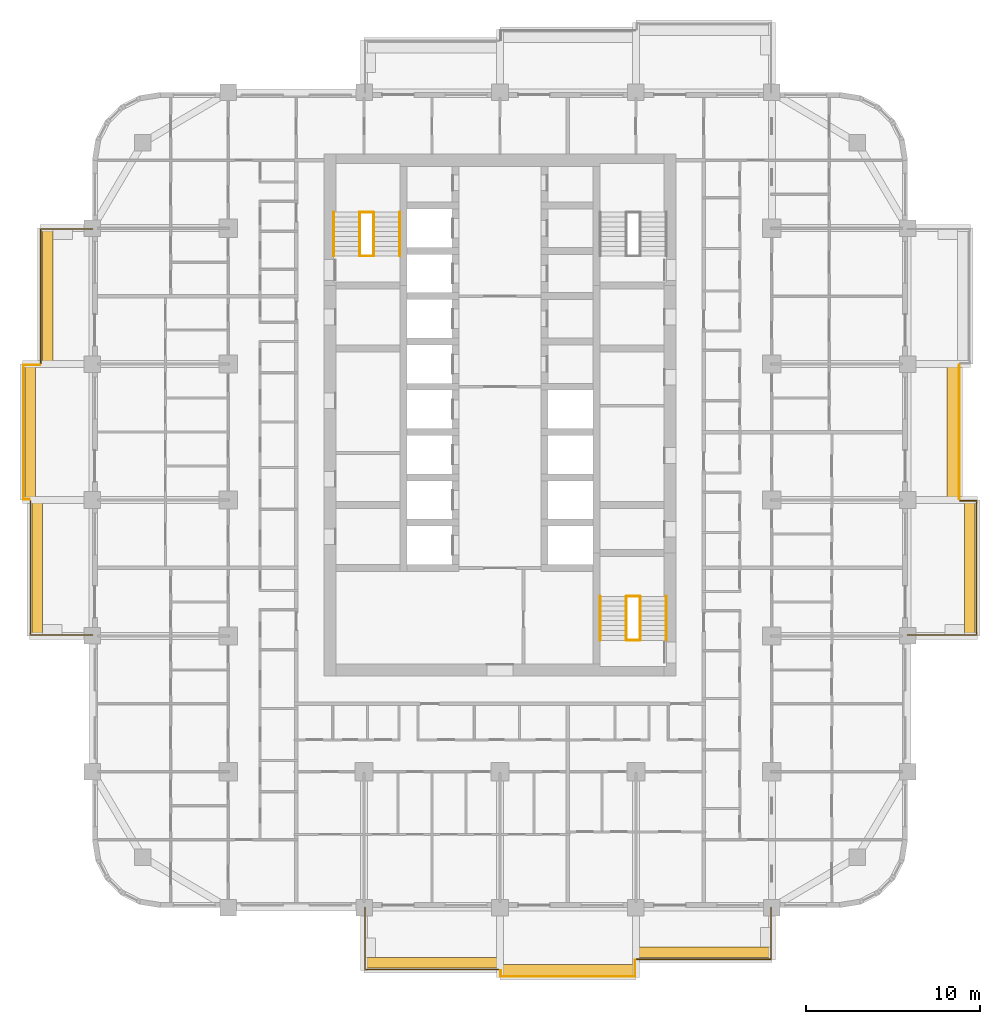
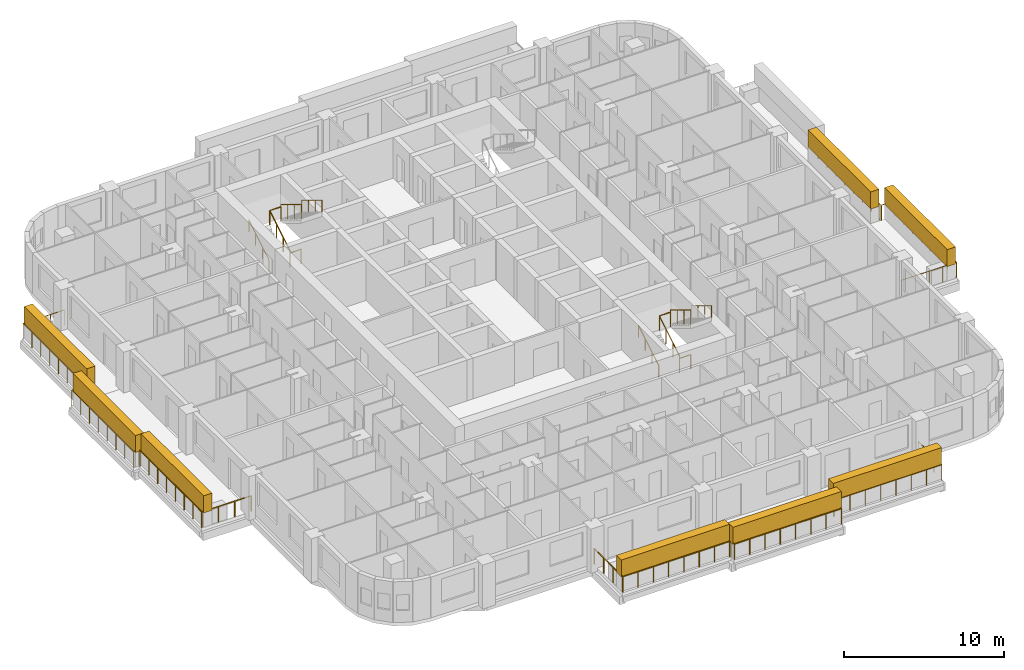
# One storey, part 16 of 17: 20 railings, 8 coverings, 2 elements without a shape of their own.
"""IFC4 building model written with IfcOpenShell, lengths in metres."""

from ifc_helpers import new_model, si_unit, direction, frame, origin, origin_2d, place, context, subcontext, project, spatial, rectangle, circle, extrude, material, layer, layer_set, type_object, element, aggregate, save


model = new_model("IFC4")

# Units and contexts
model_context = context("Model", 3, precision=1e-05, world=origin(), true_north=direction((0.0, 1.0)))
body_context = subcontext(model_context, "Body", "Model", "MODEL_VIEW")
ifc_project = project(units=[si_unit("LENGTHUNIT", "METRE"), si_unit("AREAUNIT", "SQUARE_METRE"), si_unit("VOLUMEUNIT", "CUBIC_METRE"), si_unit("PLANEANGLEUNIT", "RADIAN"), si_unit("MASSUNIT", "GRAM", prefix="KILO")], contexts=[model_context])

# Site, building, storey
site_placement = place(None, origin())
site = spatial("IfcSite", under=ifc_project, at=site_placement, CompositionType="ELEMENT")
building_placement = place(site_placement, origin())
building = spatial("IfcBuilding", under=site, at=building_placement, Name="Ludao Terraces", CompositionType="ELEMENT")
storey_placement = place(building_placement, frame((0.0, 0.0, 92.0)))
storey = spatial("IfcBuildingStorey", under=building, at=storey_placement, Name="L25", CompositionType="ELEMENT", Elevation=92.0)

# Railings
ifc_material_1 = material(Name="Stainless steel 304", Category="steel")
railing_type_1 = type_object("IfcRailingType", Name="ENV Balcony glass guard 1200", PredefinedType="GUARDRAIL", material=ifc_material_1)
railing_1_placement = place(storey_placement, frame((77.25, 41.60009765625, 0.0)))
element("IfcRailing", 1, at=railing_1_placement, inside=storey, type_object=railing_type_1, Name="Balcony guard L25 S2", PredefinedType="GUARDRAIL", context=body_context, shape_type="SweptSolid", body=[
    extrude(circle(Radius=0.02392578125, at=origin_2d()), frame((0.0, 0.0, 1.17578125), z_axis=(0.0, -1.0, 0.0), x_axis=(1.0, 0.0, 0.0)), (0.0, 0.0, 1.0), 3.550048828125),
    extrude(circle(Radius=0.02392578125, at=origin_2d()), frame((0.0, -3.550048828125, 1.17578125), z_axis=(1.0, 0.0, 0.0), x_axis=(0.0, 1.0, 0.0)), (0.0, 0.0, 1.0), 7.699951171875),
    extrude(circle(Radius=0.02099609375, at=origin_2d()), origin(), (0.0, 0.0, 1.0), 1.15185546875),
    extrude(circle(Radius=0.02099609375, at=origin_2d()), frame((0.0, -1.183349609375, 0.0)), (0.0, 0.0, 1.0), 1.15185546875),
    extrude(circle(Radius=0.02099609375, at=origin_2d()), frame((0.0, -2.36669921875, 0.0)), (0.0, 0.0, 1.0), 1.15185546875),
    extrude(circle(Radius=0.02099609375, at=origin_2d()), frame((0.0, -3.550048828125, 0.0)), (0.0, 0.0, 1.0), 1.15185546875),
    extrude(circle(Radius=0.02099609375, at=origin_2d()), frame((1.10009765625, -3.550048828125, 0.0)), (0.0, 0.0, 1.0), 1.15185546875),
    extrude(circle(Radius=0.02099609375, at=origin_2d()), frame((2.199951171875, -3.550048828125, 0.0)), (0.0, 0.0, 1.0), 1.15185546875),
    extrude(circle(Radius=0.02099609375, at=origin_2d()), frame((3.300048828125, -3.550048828125, 0.0)), (0.0, 0.0, 1.0), 1.15185546875),
    extrude(circle(Radius=0.02099609375, at=origin_2d()), frame((4.39990234375, -3.550048828125, 0.0)), (0.0, 0.0, 1.0), 1.15185546875),
    extrude(circle(Radius=0.02099609375, at=origin_2d()), frame((5.5, -3.550048828125, 0.0)), (0.0, 0.0, 1.0), 1.15185546875),
    extrude(circle(Radius=0.02099609375, at=origin_2d()), frame((6.599853515625, -3.550048828125, 0.0)), (0.0, 0.0, 1.0), 1.15185546875),
    extrude(circle(Radius=0.02099609375, at=origin_2d()), frame((7.699951171875, -3.550048828125, 0.0)), (0.0, 0.0, 1.0), 1.15185546875),
])
railing_2_placement = place(storey_placement, frame((85.050048828125, 38.0, 0.0)))
element("IfcRailing", 2, at=railing_2_placement, inside=storey, type_object=railing_type_1, Name="Balcony guard L25 S3", PredefinedType="GUARDRAIL", context=body_context, shape_type="SweptSolid", body=[
    extrude(circle(Radius=0.02392578125, at=origin_2d()), frame((0.0, 0.0, 1.17578125), z_axis=(0.0, -1.0, 0.0), x_axis=(1.0, 0.0, 0.0)), (0.0, 0.0, 1.0), 0.35009765625),
    extrude(circle(Radius=0.02392578125, at=origin_2d()), frame((0.0, -0.35009765625, 1.17578125), z_axis=(1.0, 0.0, 0.0), x_axis=(0.0, 1.0, 0.0)), (0.0, 0.0, 1.0), 7.699951171875),
    extrude(circle(Radius=0.02392578125, at=origin_2d()), frame((7.699951171875, -0.35009765625, 1.17578125), z_axis=(0.0, 1.0, 0.0), x_axis=(-1.0, 0.0, 0.0)), (0.0, 0.0, 1.0), 0.9501953125),
    extrude(circle(Radius=0.02099609375, at=origin_2d()), origin(), (0.0, 0.0, 1.0), 1.15185546875),
    extrude(circle(Radius=0.02099609375, at=origin_2d()), frame((0.0, -0.35009765625, 0.0)), (0.0, 0.0, 1.0), 1.15185546875),
    extrude(circle(Radius=0.02099609375, at=origin_2d()), frame((1.10009765625, -0.35009765625, 0.0)), (0.0, 0.0, 1.0), 1.15185546875),
    extrude(circle(Radius=0.02099609375, at=origin_2d()), frame((2.199951171875, -0.35009765625, 0.0)), (0.0, 0.0, 1.0), 1.15185546875),
    extrude(circle(Radius=0.02099609375, at=origin_2d()), frame((3.300048828125, -0.35009765625, 0.0)), (0.0, 0.0, 1.0), 1.15185546875),
    extrude(circle(Radius=0.02099609375, at=origin_2d()), frame((4.39990234375, -0.35009765625, 0.0)), (0.0, 0.0, 1.0), 1.15185546875),
    extrude(circle(Radius=0.02099609375, at=origin_2d()), frame((5.5, -0.35009765625, 0.0)), (0.0, 0.0, 1.0), 1.15185546875),
    extrude(circle(Radius=0.02099609375, at=origin_2d()), frame((6.599853515625, -0.35009765625, 0.0)), (0.0, 0.0, 1.0), 1.15185546875),
    extrude(circle(Radius=0.02099609375, at=origin_2d()), frame((7.699951171875, -0.35009765625, 0.0)), (0.0, 0.0, 1.0), 1.15185546875),
    extrude(circle(Radius=0.02099609375, at=origin_2d()), frame((7.699951171875, 0.60009765625, 0.0)), (0.0, 0.0, 1.0), 1.15185546875),
])
railing_3_placement = place(storey_placement, frame((92.85009765625, 38.64990234375, 0.0)))
element("IfcRailing", 3, at=railing_3_placement, inside=storey, type_object=railing_type_1, Name="Balcony guard L25 S4", PredefinedType="GUARDRAIL", context=body_context, shape_type="SweptSolid", body=[
    extrude(circle(Radius=0.02392578125, at=origin_2d()), frame((0.0, 0.0, 1.17578125), z_axis=(1.0, 0.0, 0.0), x_axis=(0.0, 1.0, 0.0)), (0.0, 0.0, 1.0), 7.699951171875),
    extrude(circle(Radius=0.02392578125, at=origin_2d()), frame((7.699951171875, 0.0, 1.17578125), z_axis=(0.0, 1.0, 0.0), x_axis=(-1.0, 0.0, 0.0)), (0.0, 0.0, 1.0), 2.9501953125),
    extrude(circle(Radius=0.02099609375, at=origin_2d()), origin(), (0.0, 0.0, 1.0), 1.15185546875),
    extrude(circle(Radius=0.02099609375, at=origin_2d()), frame((1.10009765625, 0.0, 0.0)), (0.0, 0.0, 1.0), 1.15185546875),
    extrude(circle(Radius=0.02099609375, at=origin_2d()), frame((2.199951171875, 0.0, 0.0)), (0.0, 0.0, 1.0), 1.15185546875),
    extrude(circle(Radius=0.02099609375, at=origin_2d()), frame((3.300048828125, 0.0, 0.0)), (0.0, 0.0, 1.0), 1.15185546875),
    extrude(circle(Radius=0.02099609375, at=origin_2d()), frame((4.39990234375, 0.0, 0.0)), (0.0, 0.0, 1.0), 1.15185546875),
    extrude(circle(Radius=0.02099609375, at=origin_2d()), frame((5.5, 0.0, 0.0)), (0.0, 0.0, 1.0), 1.15185546875),
    extrude(circle(Radius=0.02099609375, at=origin_2d()), frame((6.599853515625, 0.0, 0.0)), (0.0, 0.0, 1.0), 1.15185546875),
    extrude(circle(Radius=0.02099609375, at=origin_2d()), frame((7.699951171875, 0.0, 0.0)), (0.0, 0.0, 1.0), 1.15185546875),
    extrude(circle(Radius=0.02099609375, at=origin_2d()), frame((7.699951171875, 0.9833984375, 0.0)), (0.0, 0.0, 1.0), 1.15185546875),
    extrude(circle(Radius=0.02099609375, at=origin_2d()), frame((7.699951171875, 1.966796875, 0.0)), (0.0, 0.0, 1.0), 1.15185546875),
    extrude(circle(Radius=0.02099609375, at=origin_2d()), frame((7.699951171875, 2.9501953125, 0.0)), (0.0, 0.0, 1.0), 1.15185546875),
])
railing_4_placement = place(storey_placement, frame((108.39990234375, 57.25, 0.0)))
element("IfcRailing", 4, at=railing_4_placement, inside=storey, type_object=railing_type_1, Name="Balcony guard L25 E2", PredefinedType="GUARDRAIL", context=body_context, shape_type="SweptSolid", body=[
    extrude(circle(Radius=0.02392578125, at=origin_2d()), frame((0.0, 0.0, 1.17578125), z_axis=(1.0, 0.0, 0.0), x_axis=(0.0, 1.0, 0.0)), (0.0, 0.0, 1.0), 3.9501953125),
    extrude(circle(Radius=0.02392578125, at=origin_2d()), frame((3.9501953125, 0.0, 1.17578125), z_axis=(0.0, 1.0, 0.0), x_axis=(-1.0, 0.0, 0.0)), (0.0, 0.0, 1.0), 7.699951171875),
    extrude(circle(Radius=0.02392578125, at=origin_2d()), frame((3.9501953125, 7.699951171875, 1.17578125), z_axis=(-1.0, 0.0, 0.0), x_axis=(0.0, -1.0, 0.0)), (0.0, 0.0, 1.0), 0.9501953125),
    extrude(circle(Radius=0.02099609375, at=origin_2d()), origin(), (0.0, 0.0, 1.0), 1.15185546875),
    extrude(circle(Radius=0.02099609375, at=origin_2d()), frame((0.987548828125, 0.0, 0.0)), (0.0, 0.0, 1.0), 1.15185546875),
    extrude(circle(Radius=0.02099609375, at=origin_2d()), frame((1.97509765625, 0.0, 0.0)), (0.0, 0.0, 1.0), 1.15185546875),
    extrude(circle(Radius=0.02099609375, at=origin_2d()), frame((2.962646484375, 0.0, 0.0)), (0.0, 0.0, 1.0), 1.15185546875),
    extrude(circle(Radius=0.02099609375, at=origin_2d()), frame((3.9501953125, 0.0, 0.0)), (0.0, 0.0, 1.0), 1.15185546875),
    extrude(circle(Radius=0.02099609375, at=origin_2d()), frame((3.9501953125, 1.10009765625, 0.0)), (0.0, 0.0, 1.0), 1.15185546875),
    extrude(circle(Radius=0.02099609375, at=origin_2d()), frame((3.9501953125, 2.199951171875, 0.0)), (0.0, 0.0, 1.0), 1.15185546875),
    extrude(circle(Radius=0.02099609375, at=origin_2d()), frame((3.9501953125, 3.300048828125, 0.0)), (0.0, 0.0, 1.0), 1.15185546875),
    extrude(circle(Radius=0.02099609375, at=origin_2d()), frame((3.9501953125, 4.39990234375, 0.0)), (0.0, 0.0, 1.0), 1.15185546875),
    extrude(circle(Radius=0.02099609375, at=origin_2d()), frame((3.9501953125, 5.5, 0.0)), (0.0, 0.0, 1.0), 1.15185546875),
    extrude(circle(Radius=0.02099609375, at=origin_2d()), frame((3.9501953125, 6.599853515625, 0.0)), (0.0, 0.0, 1.0), 1.15185546875),
    extrude(circle(Radius=0.02099609375, at=origin_2d()), frame((3.9501953125, 7.699951171875, 0.0)), (0.0, 0.0, 1.0), 1.15185546875),
    extrude(circle(Radius=0.02099609375, at=origin_2d()), frame((3.0, 7.699951171875, 0.0)), (0.0, 0.0, 1.0), 1.15185546875),
])
railing_5_placement = place(storey_placement, frame((111.35009765625, 65.050048828125, 0.0)))
element("IfcRailing", 5, at=railing_5_placement, inside=storey, type_object=railing_type_1, Name="Balcony guard L25 E3", PredefinedType="GUARDRAIL", context=body_context, shape_type="SweptSolid", body=[
    extrude(circle(Radius=0.02392578125, at=origin_2d()), frame((0.0, 0.0, 1.17578125), z_axis=(0.0, 1.0, 0.0), x_axis=(-1.0, 0.0, 0.0)), (0.0, 0.0, 1.0), 7.699951171875),
    extrude(circle(Radius=0.02099609375, at=origin_2d()), origin(), (0.0, 0.0, 1.0), 1.15185546875),
    extrude(circle(Radius=0.02099609375, at=origin_2d()), frame((0.0, 1.10009765625, 0.0)), (0.0, 0.0, 1.0), 1.15185546875),
    extrude(circle(Radius=0.02099609375, at=origin_2d()), frame((0.0, 2.199951171875, 0.0)), (0.0, 0.0, 1.0), 1.15185546875),
    extrude(circle(Radius=0.02099609375, at=origin_2d()), frame((0.0, 3.300048828125, 0.0)), (0.0, 0.0, 1.0), 1.15185546875),
    extrude(circle(Radius=0.02099609375, at=origin_2d()), frame((0.0, 4.39990234375, 0.0)), (0.0, 0.0, 1.0), 1.15185546875),
    extrude(circle(Radius=0.02099609375, at=origin_2d()), frame((0.0, 5.5, 0.0)), (0.0, 0.0, 1.0), 1.15185546875),
    extrude(circle(Radius=0.02099609375, at=origin_2d()), frame((0.0, 6.599853515625, 0.0)), (0.0, 0.0, 1.0), 1.15185546875),
    extrude(circle(Radius=0.02099609375, at=origin_2d()), frame((0.0, 7.699951171875, 0.0)), (0.0, 0.0, 1.0), 1.15185546875),
])
railing_6_placement = place(storey_placement, frame((61.60009765625, 57.25, 0.0)))
element("IfcRailing", 6, at=railing_6_placement, inside=storey, type_object=railing_type_1, Name="Balcony guard L25 W2", PredefinedType="GUARDRAIL", context=body_context, shape_type="SweptSolid", body=[
    extrude(circle(Radius=0.02392578125, at=origin_2d()), frame((0.0, 0.0, 1.17578125), z_axis=(-1.0, 0.0, 0.0), x_axis=(0.0, -1.0, 0.0)), (0.0, 0.0, 1.0), 3.550048828125),
    extrude(circle(Radius=0.02392578125, at=origin_2d()), frame((-3.550048828125, 0.0, 1.17578125), z_axis=(0.0, 1.0, 0.0), x_axis=(-1.0, 0.0, 0.0)), (0.0, 0.0, 1.0), 7.699951171875),
    extrude(circle(Radius=0.02099609375, at=origin_2d()), origin(), (0.0, 0.0, 1.0), 1.15185546875),
    extrude(circle(Radius=0.02099609375, at=origin_2d()), frame((-1.183349609375, 0.0, 0.0)), (0.0, 0.0, 1.0), 1.15185546875),
    extrude(circle(Radius=0.02099609375, at=origin_2d()), frame((-2.36669921875, 0.0, 0.0)), (0.0, 0.0, 1.0), 1.15185546875),
    extrude(circle(Radius=0.02099609375, at=origin_2d()), frame((-3.550048828125, 0.0, 0.0)), (0.0, 0.0, 1.0), 1.15185546875),
    extrude(circle(Radius=0.02099609375, at=origin_2d()), frame((-3.550048828125, 1.10009765625, 0.0)), (0.0, 0.0, 1.0), 1.15185546875),
    extrude(circle(Radius=0.02099609375, at=origin_2d()), frame((-3.550048828125, 2.199951171875, 0.0)), (0.0, 0.0, 1.0), 1.15185546875),
    extrude(circle(Radius=0.02099609375, at=origin_2d()), frame((-3.550048828125, 3.300048828125, 0.0)), (0.0, 0.0, 1.0), 1.15185546875),
    extrude(circle(Radius=0.02099609375, at=origin_2d()), frame((-3.550048828125, 4.39990234375, 0.0)), (0.0, 0.0, 1.0), 1.15185546875),
    extrude(circle(Radius=0.02099609375, at=origin_2d()), frame((-3.550048828125, 5.5, 0.0)), (0.0, 0.0, 1.0), 1.15185546875),
    extrude(circle(Radius=0.02099609375, at=origin_2d()), frame((-3.550048828125, 6.599853515625, 0.0)), (0.0, 0.0, 1.0), 1.15185546875),
    extrude(circle(Radius=0.02099609375, at=origin_2d()), frame((-3.550048828125, 7.699951171875, 0.0)), (0.0, 0.0, 1.0), 1.15185546875),
])
railing_7_placement = place(storey_placement, frame((58.0, 65.050048828125, 0.0)))
element("IfcRailing", 7, at=railing_7_placement, inside=storey, type_object=railing_type_1, Name="Balcony guard L25 W3", PredefinedType="GUARDRAIL", context=body_context, shape_type="SweptSolid", body=[
    extrude(circle(Radius=0.02392578125, at=origin_2d()), frame((0.0, 0.0, 1.17578125), z_axis=(-1.0, 0.0, 0.0), x_axis=(0.0, -1.0, 0.0)), (0.0, 0.0, 1.0), 0.35009765625),
    extrude(circle(Radius=0.02392578125, at=origin_2d()), frame((-0.35009765625, 0.0, 1.17578125), z_axis=(0.0, 1.0, 0.0), x_axis=(-1.0, 0.0, 0.0)), (0.0, 0.0, 1.0), 7.699951171875),
    extrude(circle(Radius=0.02392578125, at=origin_2d()), frame((-0.35009765625, 7.699951171875, 1.17578125), z_axis=(1.0, 0.0, 0.0), x_axis=(0.0, 1.0, 0.0)), (0.0, 0.0, 1.0), 0.9501953125),
    extrude(circle(Radius=0.02099609375, at=origin_2d()), origin(), (0.0, 0.0, 1.0), 1.15185546875),
    extrude(circle(Radius=0.02099609375, at=origin_2d()), frame((-0.35009765625, 0.0, 0.0)), (0.0, 0.0, 1.0), 1.15185546875),
    extrude(circle(Radius=0.02099609375, at=origin_2d()), frame((-0.35009765625, 1.10009765625, 0.0)), (0.0, 0.0, 1.0), 1.15185546875),
    extrude(circle(Radius=0.02099609375, at=origin_2d()), frame((-0.35009765625, 2.199951171875, 0.0)), (0.0, 0.0, 1.0), 1.15185546875),
    extrude(circle(Radius=0.02099609375, at=origin_2d()), frame((-0.35009765625, 3.300048828125, 0.0)), (0.0, 0.0, 1.0), 1.15185546875),
    extrude(circle(Radius=0.02099609375, at=origin_2d()), frame((-0.35009765625, 4.39990234375, 0.0)), (0.0, 0.0, 1.0), 1.15185546875),
    extrude(circle(Radius=0.02099609375, at=origin_2d()), frame((-0.35009765625, 5.5, 0.0)), (0.0, 0.0, 1.0), 1.15185546875),
    extrude(circle(Radius=0.02099609375, at=origin_2d()), frame((-0.35009765625, 6.599853515625, 0.0)), (0.0, 0.0, 1.0), 1.15185546875),
    extrude(circle(Radius=0.02099609375, at=origin_2d()), frame((-0.35009765625, 7.699951171875, 0.0)), (0.0, 0.0, 1.0), 1.15185546875),
    extrude(circle(Radius=0.02099609375, at=origin_2d()), frame((0.60009765625, 7.699951171875, 0.0)), (0.0, 0.0, 1.0), 1.15185546875),
])
railing_8_placement = place(storey_placement, frame((58.64990234375, 72.85009765625, 0.0)))
element("IfcRailing", 8, at=railing_8_placement, inside=storey, type_object=railing_type_1, Name="Balcony guard L25 W4", PredefinedType="GUARDRAIL", context=body_context, shape_type="SweptSolid", body=[
    extrude(circle(Radius=0.02392578125, at=origin_2d()), frame((0.0, 0.0, 1.17578125), z_axis=(0.0, 1.0, 0.0), x_axis=(-1.0, 0.0, 0.0)), (0.0, 0.0, 1.0), 7.699951171875),
    extrude(circle(Radius=0.02392578125, at=origin_2d()), frame((0.0, 7.699951171875, 1.17578125), z_axis=(1.0, 0.0, 0.0), x_axis=(0.0, 1.0, 0.0)), (0.0, 0.0, 1.0), 2.9501953125),
    extrude(circle(Radius=0.02099609375, at=origin_2d()), origin(), (0.0, 0.0, 1.0), 1.15185546875),
    extrude(circle(Radius=0.02099609375, at=origin_2d()), frame((0.0, 1.10009765625, 0.0)), (0.0, 0.0, 1.0), 1.15185546875),
    extrude(circle(Radius=0.02099609375, at=origin_2d()), frame((0.0, 2.199951171875, 0.0)), (0.0, 0.0, 1.0), 1.15185546875),
    extrude(circle(Radius=0.02099609375, at=origin_2d()), frame((0.0, 3.300048828125, 0.0)), (0.0, 0.0, 1.0), 1.15185546875),
    extrude(circle(Radius=0.02099609375, at=origin_2d()), frame((0.0, 4.39990234375, 0.0)), (0.0, 0.0, 1.0), 1.15185546875),
    extrude(circle(Radius=0.02099609375, at=origin_2d()), frame((0.0, 5.5, 0.0)), (0.0, 0.0, 1.0), 1.15185546875),
    extrude(circle(Radius=0.02099609375, at=origin_2d()), frame((0.0, 6.599853515625, 0.0)), (0.0, 0.0, 1.0), 1.15185546875),
    extrude(circle(Radius=0.02099609375, at=origin_2d()), frame((0.0, 7.699951171875, 0.0)), (0.0, 0.0, 1.0), 1.15185546875),
    extrude(circle(Radius=0.02099609375, at=origin_2d()), frame((0.9833984375, 7.699951171875, 0.0)), (0.0, 0.0, 1.0), 1.15185546875),
    extrude(circle(Radius=0.02099609375, at=origin_2d()), frame((1.966796875, 7.699951171875, 0.0)), (0.0, 0.0, 1.0), 1.15185546875),
    extrude(circle(Radius=0.02099609375, at=origin_2d()), frame((2.9501953125, 7.699951171875, 0.0)), (0.0, 0.0, 1.0), 1.15185546875),
])

# Coverings
ifc_material_2 = material(Name="Planting")
ifc_layer = layer(ifc_material_2, 0.60009765625)
ifc_layer_set = layer_set([ifc_layer], Name="ENV Planting hedge 600x1300")
covering_type = type_object("IfcCoveringType", Name="ENV Planting hedge 600x1300", PredefinedType="USERDEFINED", material=ifc_layer_set)
for number, where, z_axis, x_axis, name in (
    (9, (81.10009765625, 38.449951171875, 1.10009765625), (0.0, 0.0, 1.0), (1.0, 0.0, 0.0), "Planting hedge L25-S2"),
    (10, (88.89990234375, 38.050048828125, 1.10009765625), (0.0, 0.0, 1.0), (1.0, 0.0, 0.0), "Planting hedge L25-S3"),
    (11, (96.699951171875, 39.050048828125, 1.10009765625), (0.0, 0.0, 1.0), (1.0, 0.0, 0.0), "Planting hedge L25-S4"),
):
    element("IfcCovering", number, at=place(storey_placement, frame(where, z_axis=z_axis, x_axis=x_axis)), inside=storey, type_object=covering_type, Name=name, ObjectType="PLANTING", PredefinedType="USERDEFINED", context=body_context, shape_type="SweptSolid", body=[
        extrude(rectangle(XDim=7.800048828125, YDim=0.60009765625, at=origin_2d()), origin(), (0.0, 0.0, 1.0), 1.300048828125),
    ])
for number, where, z_axis, x_axis, name in (
    (12, (111.949951171875, 61.10009765625, 1.10009765625), (0.0, 0.0, 1.0), (1.0, 0.0, 0.0), "Planting hedge L25-E2"),
    (13, (110.949951171875, 68.89990234375, 1.10009765625), (0.0, 0.0, 1.0), (1.0, 0.0, 0.0), "Planting hedge L25-E3"),
    (14, (58.449951171875, 61.10009765625, 1.10009765625), (0.0, 0.0, 1.0), (1.0, 0.0, 0.0), "Planting hedge L25-W2"),
    (15, (58.050048828125, 68.89990234375, 1.10009765625), (0.0, 0.0, 1.0), (1.0, 0.0, 0.0), "Planting hedge L25-W3"),
    (16, (59.050048828125, 76.699951171875, 1.10009765625), (0.0, 0.0, 1.0), (1.0, 0.0, 0.0), "Planting hedge L25-W4"),
):
    element("IfcCovering", number, at=place(storey_placement, frame(where, z_axis=z_axis, x_axis=x_axis)), inside=storey, type_object=covering_type, Name=name, ObjectType="PLANTING", PredefinedType="USERDEFINED", context=body_context, shape_type="SweptSolid", body=[
        extrude(rectangle(XDim=0.60009765625, YDim=7.800048828125, at=origin_2d()), origin(), (0.0, 0.0, 1.0), 1.300048828125),
    ])

# Stair, railings
ifc_material_3 = material(Name="Concrete C40", Category="concrete")
stair_type = type_object("IfcStairType", Name="INT Stair", PredefinedType="HALF_TURN_STAIR", material=ifc_material_3)
stair_1_placement = place(storey_placement, origin())
stair_1 = element("IfcStair", 17, at=stair_1_placement, inside=storey, type_object=stair_type, Name="EXIT STAIR 1", PredefinedType="HALF_TURN_STAIR")
railing_type_2 = type_object("IfcRailingType", Name="INT Stair guard 1100", PredefinedType="GUARDRAIL", material=ifc_material_1)
railing_9_placement = place(storey_placement, frame((76.949951171875, 79.0, 0.169921875)))
railing_9 = element("IfcRailing", 18, at=railing_9_placement, type_object=railing_type_2, Name="ST-L25-S1-R1G", PredefinedType="GUARDRAIL", context=body_context, shape_type="SweptSolid", body=[
    extrude(circle(Radius=0.02392578125, at=origin_2d()), frame((0.0, 0.0, 1.076171875), z_axis=(0.0, 0.85478489116, 0.518982456201), x_axis=(-1.0, 0.0, 0.0)), (0.0, 0.0, 1.0), 2.9482421875),
    extrude(circle(Radius=0.02099609375, at=origin_2d()), origin(), (0.0, 0.0, 1.0), 1.052001953125),
    extrude(circle(Radius=0.02099609375, at=origin_2d()), frame((0.0, 0.840087890625, 0.510009765625)), (0.0, 0.0, 1.0), 1.052001953125),
    extrude(circle(Radius=0.02099609375, at=origin_2d()), frame((0.0, 1.679931640625, 1.02001953125)), (0.0, 0.0, 1.0), 1.052001953125),
    extrude(circle(Radius=0.02099609375, at=origin_2d()), frame((0.0, 2.52001953125, 1.530029296875)), (0.0, 0.0, 1.0), 1.052001953125),
])
railing_10_placement = place(storey_placement, frame((77.75, 81.52001953125, 1.8701171875)))
railing_10 = element("IfcRailing", 19, at=railing_10_placement, type_object=railing_type_2, Name="ST-L25-S1-R2G", PredefinedType="GUARDRAIL", context=body_context, shape_type="SweptSolid", body=[
    extrude(circle(Radius=0.02392578125, at=origin_2d()), frame((0.0, 0.0, 1.076171875), z_axis=(0.0, -0.854821627497, 0.518921945155), x_axis=(1.0, 0.0, 0.0)), (0.0, 0.0, 1.0), 2.947998046875),
    extrude(circle(Radius=0.02099609375, at=origin_2d()), origin(), (0.0, 0.0, 1.0), 1.052001953125),
    extrude(circle(Radius=0.02099609375, at=origin_2d()), frame((0.0, -0.840087890625, 0.510009765625)), (0.0, 0.0, 1.0), 1.052001953125),
    extrude(circle(Radius=0.02099609375, at=origin_2d()), frame((0.0, -1.679931640625, 1.019775390625)), (0.0, 0.0, 1.0), 1.052001953125),
    extrude(circle(Radius=0.02099609375, at=origin_2d()), frame((0.0, -2.52001953125, 1.52978515625)), (0.0, 0.0, 1.0), 1.052001953125),
])
railing_11_placement = place(storey_placement, frame((76.949951171875, 81.52001953125, 1.699951171875)))
railing_11 = element("IfcRailing", 20, at=railing_11_placement, type_object=railing_type_2, Name="ST-L25-S1-E1G", PredefinedType="GUARDRAIL", context=body_context, shape_type="SweptSolid", body=[
    extrude(circle(Radius=0.02392578125, at=origin_2d()), frame((0.0, 0.0, 1.076171875), z_axis=(1.0, 0.0, 0.0), x_axis=(0.0, 1.0, 0.0)), (0.0, 0.0, 1.0), 0.800048828125),
    extrude(circle(Radius=0.02099609375, at=origin_2d()), origin(), (0.0, 0.0, 1.0), 1.052001953125),
    extrude(circle(Radius=0.02099609375, at=origin_2d()), frame((0.800048828125, 0.0, 0.0)), (0.0, 0.0, 1.0), 1.052001953125),
])
railing_12_placement = place(storey_placement, frame((76.949951171875, 79.0, 0.0)))
railing_12 = element("IfcRailing", 21, at=railing_12_placement, type_object=railing_type_2, Name="ST-L25-S1-E2G", PredefinedType="GUARDRAIL", context=body_context, shape_type="SweptSolid", body=[
    extrude(circle(Radius=0.02392578125, at=origin_2d()), frame((0.0, 0.0, 1.076171875), z_axis=(1.0, 0.0, 0.0), x_axis=(0.0, 1.0, 0.0)), (0.0, 0.0, 1.0), 0.800048828125),
    extrude(circle(Radius=0.02099609375, at=origin_2d()), origin(), (0.0, 0.0, 1.0), 1.052001953125),
    extrude(circle(Radius=0.02099609375, at=origin_2d()), frame((0.800048828125, 0.0, 0.0)), (0.0, 0.0, 1.0), 1.052001953125),
])

stair_2_placement = place(storey_placement, origin())
stair_2 = element("IfcStair", 22, at=stair_2_placement, inside=storey, type_object=stair_type, Name="EXIT STAIR 3", PredefinedType="HALF_TURN_STAIR")
railing_13_placement = place(storey_placement, frame((92.25, 56.949951171875, 0.169921875)))
railing_13 = element("IfcRailing", 23, at=railing_13_placement, type_object=railing_type_2, Name="ST-L25-S3-R1G", PredefinedType="GUARDRAIL", context=body_context, shape_type="SweptSolid", body=[
    extrude(circle(Radius=0.02392578125, at=origin_2d()), frame((0.0, 0.0, 1.076171875), z_axis=(0.0, 0.85478489116, 0.518982456201), x_axis=(-1.0, 0.0, 0.0)), (0.0, 0.0, 1.0), 2.9482421875),
    extrude(circle(Radius=0.02099609375, at=origin_2d()), origin(), (0.0, 0.0, 1.0), 1.052001953125),
    extrude(circle(Radius=0.02099609375, at=origin_2d()), frame((0.0, 0.840087890625, 0.510009765625)), (0.0, 0.0, 1.0), 1.052001953125),
    extrude(circle(Radius=0.02099609375, at=origin_2d()), frame((0.0, 1.679931640625, 1.02001953125)), (0.0, 0.0, 1.0), 1.052001953125),
    extrude(circle(Radius=0.02099609375, at=origin_2d()), frame((0.0, 2.52001953125, 1.530029296875)), (0.0, 0.0, 1.0), 1.052001953125),
])
railing_14_placement = place(storey_placement, frame((93.050048828125, 59.469970703125, 1.8701171875)))
railing_14 = element("IfcRailing", 24, at=railing_14_placement, type_object=railing_type_2, Name="ST-L25-S3-R2G", PredefinedType="GUARDRAIL", context=body_context, shape_type="SweptSolid", body=[
    extrude(circle(Radius=0.02392578125, at=origin_2d()), frame((0.0, 0.0, 1.076171875), z_axis=(0.0, -0.854821627497, 0.518921945155), x_axis=(1.0, 0.0, 0.0)), (0.0, 0.0, 1.0), 2.947998046875),
    extrude(circle(Radius=0.02099609375, at=origin_2d()), origin(), (0.0, 0.0, 1.0), 1.052001953125),
    extrude(circle(Radius=0.02099609375, at=origin_2d()), frame((0.0, -0.840087890625, 0.510009765625)), (0.0, 0.0, 1.0), 1.052001953125),
    extrude(circle(Radius=0.02099609375, at=origin_2d()), frame((0.0, -1.679931640625, 1.019775390625)), (0.0, 0.0, 1.0), 1.052001953125),
    extrude(circle(Radius=0.02099609375, at=origin_2d()), frame((0.0, -2.52001953125, 1.52978515625)), (0.0, 0.0, 1.0), 1.052001953125),
])
railing_15_placement = place(storey_placement, frame((92.25, 59.469970703125, 1.699951171875)))
railing_15 = element("IfcRailing", 25, at=railing_15_placement, type_object=railing_type_2, Name="ST-L25-S3-E1G", PredefinedType="GUARDRAIL", context=body_context, shape_type="SweptSolid", body=[
    extrude(circle(Radius=0.02392578125, at=origin_2d()), frame((0.0, 0.0, 1.076171875), z_axis=(1.0, 0.0, 0.0), x_axis=(0.0, 1.0, 0.0)), (0.0, 0.0, 1.0), 0.800048828125),
    extrude(circle(Radius=0.02099609375, at=origin_2d()), origin(), (0.0, 0.0, 1.0), 1.052001953125),
    extrude(circle(Radius=0.02099609375, at=origin_2d()), frame((0.800048828125, 0.0, 0.0)), (0.0, 0.0, 1.0), 1.052001953125),
])
railing_16_placement = place(storey_placement, frame((92.25, 56.949951171875, 0.0)))
railing_16 = element("IfcRailing", 26, at=railing_16_placement, type_object=railing_type_2, Name="ST-L25-S3-E2G", PredefinedType="GUARDRAIL", context=body_context, shape_type="SweptSolid", body=[
    extrude(circle(Radius=0.02392578125, at=origin_2d()), frame((0.0, 0.0, 1.076171875), z_axis=(1.0, 0.0, 0.0), x_axis=(0.0, 1.0, 0.0)), (0.0, 0.0, 1.0), 0.800048828125),
    extrude(circle(Radius=0.02099609375, at=origin_2d()), origin(), (0.0, 0.0, 1.0), 1.052001953125),
    extrude(circle(Radius=0.02099609375, at=origin_2d()), frame((0.800048828125, 0.0, 0.0)), (0.0, 0.0, 1.0), 1.052001953125),
])

# Railing
railing_type_3 = type_object("IfcRailingType", Name="INT Stair handrail 900", PredefinedType="HANDRAIL", material=ifc_material_1)
railing_17_placement = place(storey_placement, frame((75.449951171875, 79.0, 0.169921875)))
railing_17 = element("IfcRailing", 27, at=railing_17_placement, type_object=railing_type_3, Name="ST-L25-S1-R1H", PredefinedType="HANDRAIL", context=body_context, shape_type="SweptSolid", body=[
    extrude(circle(Radius=0.02392578125, at=origin_2d()), frame((0.0, 0.0, 0.8759765625), z_axis=(0.0, 0.85478489116, 0.518982456201), x_axis=(-1.0, 0.0, 0.0)), (0.0, 0.0, 1.0), 2.9482421875),
    extrude(circle(Radius=0.02099609375, at=origin_2d()), origin(), (0.0, 0.0, 1.0), 0.851806640625),
    extrude(circle(Radius=0.02099609375, at=origin_2d()), frame((0.0, 0.840087890625, 0.510009765625)), (0.0, 0.0, 1.0), 0.851806640625),
    extrude(circle(Radius=0.02099609375, at=origin_2d()), frame((0.0, 1.679931640625, 1.02001953125)), (0.0, 0.0, 1.0), 0.851806640625),
    extrude(circle(Radius=0.02099609375, at=origin_2d()), frame((0.0, 2.52001953125, 1.530029296875)), (0.0, 0.0, 1.0), 0.851806640625),
])

railing_18_placement = place(storey_placement, frame((79.25, 81.52001953125, 1.8701171875)))
railing_18 = element("IfcRailing", 28, at=railing_18_placement, type_object=railing_type_3, Name="ST-L25-S1-R2H", PredefinedType="HANDRAIL", context=body_context, shape_type="SweptSolid", body=[
    extrude(circle(Radius=0.02392578125, at=origin_2d()), frame((0.0, 0.0, 0.8759765625), z_axis=(0.0, -0.854821627497, 0.518921945155), x_axis=(1.0, 0.0, 0.0)), (0.0, 0.0, 1.0), 2.947998046875),
    extrude(circle(Radius=0.02099609375, at=origin_2d()), origin(), (0.0, 0.0, 1.0), 0.851806640625),
    extrude(circle(Radius=0.02099609375, at=origin_2d()), frame((0.0, -0.840087890625, 0.510009765625)), (0.0, 0.0, 1.0), 0.851806640625),
    extrude(circle(Radius=0.02099609375, at=origin_2d()), frame((0.0, -1.679931640625, 1.019775390625)), (0.0, 0.0, 1.0), 0.851806640625),
    extrude(circle(Radius=0.02099609375, at=origin_2d()), frame((0.0, -2.52001953125, 1.52978515625)), (0.0, 0.0, 1.0), 0.851806640625),
])

aggregate(stair_1, [railing_9, railing_17, railing_10, railing_18, railing_11, railing_12])

railing_19_placement = place(storey_placement, frame((90.75, 56.949951171875, 0.169921875)))
railing_19 = element("IfcRailing", 29, at=railing_19_placement, type_object=railing_type_3, Name="ST-L25-S3-R1H", PredefinedType="HANDRAIL", context=body_context, shape_type="SweptSolid", body=[
    extrude(circle(Radius=0.02392578125, at=origin_2d()), frame((0.0, 0.0, 0.8759765625), z_axis=(0.0, 0.85478489116, 0.518982456201), x_axis=(-1.0, 0.0, 0.0)), (0.0, 0.0, 1.0), 2.9482421875),
    extrude(circle(Radius=0.02099609375, at=origin_2d()), origin(), (0.0, 0.0, 1.0), 0.851806640625),
    extrude(circle(Radius=0.02099609375, at=origin_2d()), frame((0.0, 0.840087890625, 0.510009765625)), (0.0, 0.0, 1.0), 0.851806640625),
    extrude(circle(Radius=0.02099609375, at=origin_2d()), frame((0.0, 1.679931640625, 1.02001953125)), (0.0, 0.0, 1.0), 0.851806640625),
    extrude(circle(Radius=0.02099609375, at=origin_2d()), frame((0.0, 2.52001953125, 1.530029296875)), (0.0, 0.0, 1.0), 0.851806640625),
])

railing_20_placement = place(storey_placement, frame((94.550048828125, 59.469970703125, 1.8701171875)))
railing_20 = element("IfcRailing", 30, at=railing_20_placement, type_object=railing_type_3, Name="ST-L25-S3-R2H", PredefinedType="HANDRAIL", context=body_context, shape_type="SweptSolid", body=[
    extrude(circle(Radius=0.02392578125, at=origin_2d()), frame((0.0, 0.0, 0.8759765625), z_axis=(0.0, -0.854821627497, 0.518921945155), x_axis=(1.0, 0.0, 0.0)), (0.0, 0.0, 1.0), 2.947998046875),
    extrude(circle(Radius=0.02099609375, at=origin_2d()), origin(), (0.0, 0.0, 1.0), 0.851806640625),
    extrude(circle(Radius=0.02099609375, at=origin_2d()), frame((0.0, -0.840087890625, 0.510009765625)), (0.0, 0.0, 1.0), 0.851806640625),
    extrude(circle(Radius=0.02099609375, at=origin_2d()), frame((0.0, -1.679931640625, 1.019775390625)), (0.0, 0.0, 1.0), 0.851806640625),
    extrude(circle(Radius=0.02099609375, at=origin_2d()), frame((0.0, -2.52001953125, 1.52978515625)), (0.0, 0.0, 1.0), 0.851806640625),
])

aggregate(stair_2, [railing_13, railing_19, railing_14, railing_20, railing_15, railing_16])

save(model, "model.ifc")
